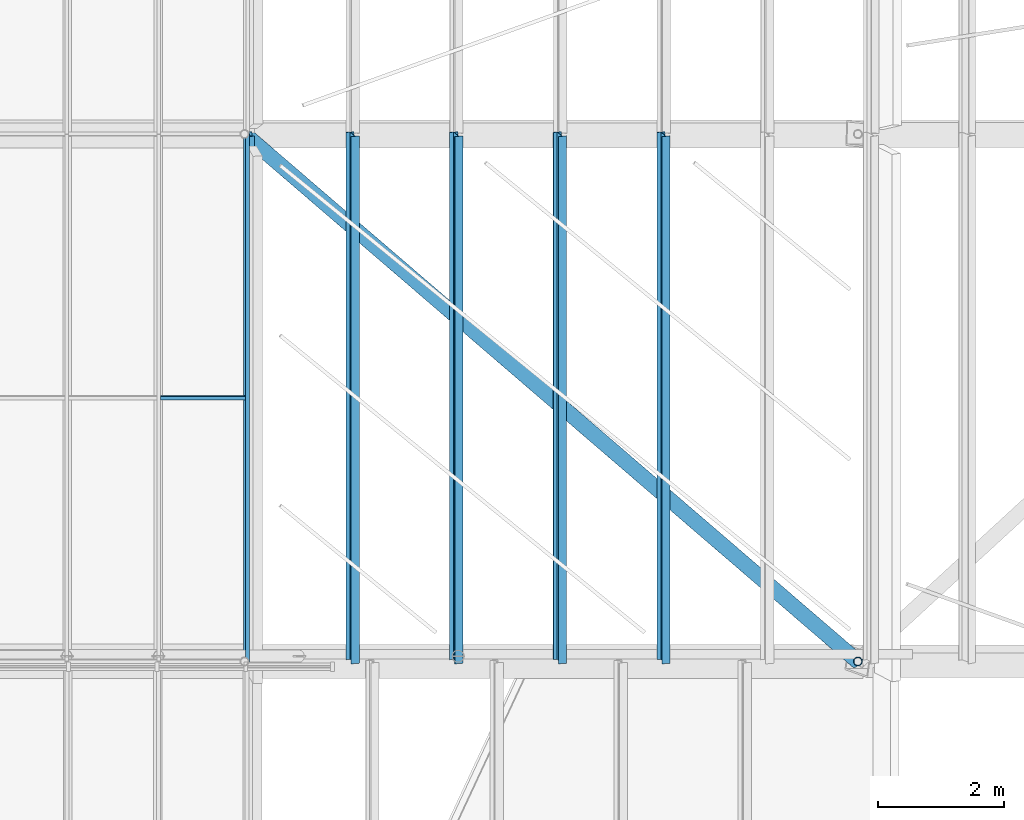
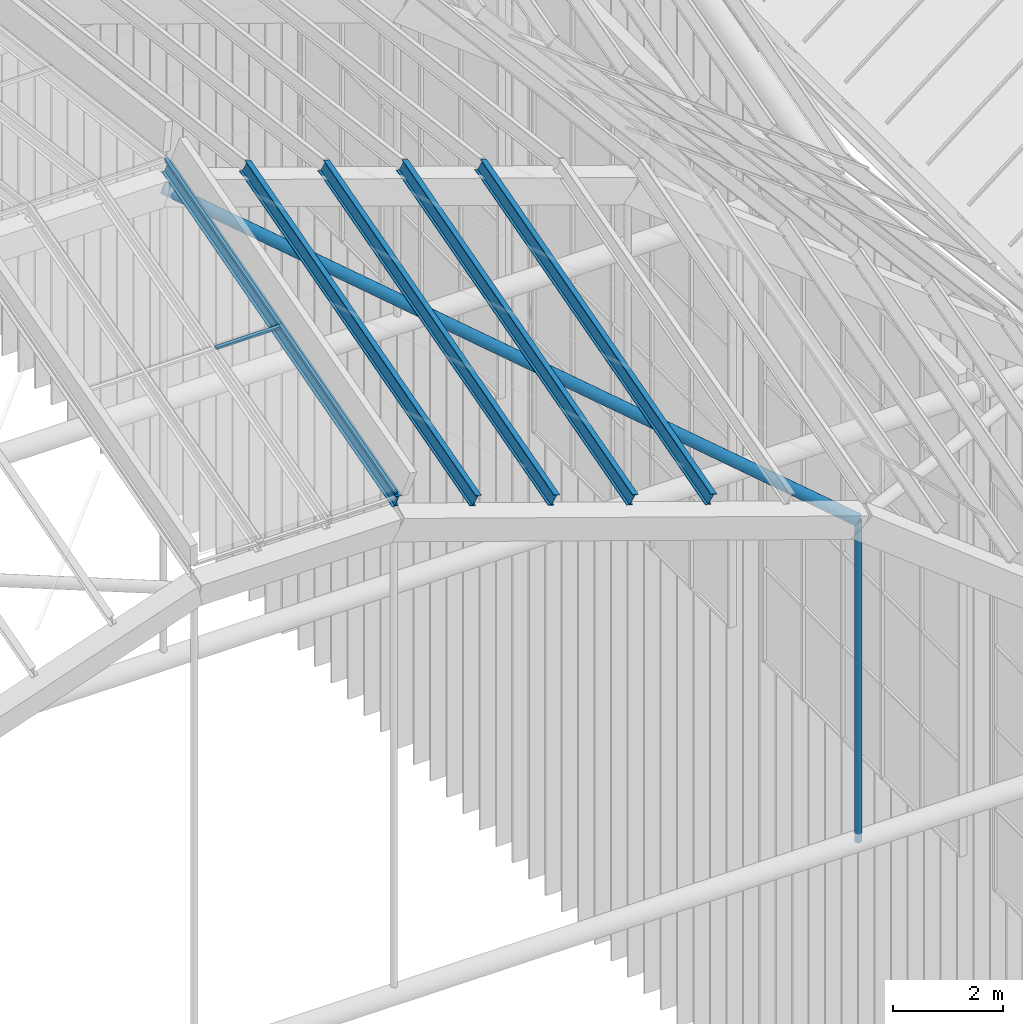
# One storey, part 32 of 126: 9 members.
"""IFC4 building model written with IfcOpenShell, lengths in metres."""

from ifc_helpers import new_model, si_unit, direction, frame, origin, origin_2d, place, context, subcontext, project, spatial, rectangle, hollow_circle, i_section, extrude, material, material_profile, profile_set, type_object, element, save


model = new_model("IFC4")

# Units and contexts
model_context = context("Model", 3, precision=1e-05, world=origin(), true_north=direction((0.0, 1.0)))
body_context = subcontext(model_context, "Body", "Model", "MODEL_VIEW")
ifc_project = project(units=[si_unit("LENGTHUNIT", "METRE"), si_unit("AREAUNIT", "SQUARE_METRE"), si_unit("VOLUMEUNIT", "CUBIC_METRE"), si_unit("PLANEANGLEUNIT", "RADIAN"), si_unit("MASSUNIT", "GRAM", prefix="KILO")], contexts=[model_context])

# Site, building, storey
site_placement = place(None, origin())
site = spatial("IfcSite", under=ifc_project, at=site_placement, CompositionType="ELEMENT")
building_placement = place(site_placement, origin())
building = spatial("IfcBuilding", under=site, at=building_placement, Name="Sava Quay Ferry Terminal", CompositionType="ELEMENT")
storey_placement = place(building_placement, frame((0.0, 0.0, 15.0)))
storey = spatial("IfcBuildingStorey", under=building, at=storey_placement, Name="L03", CompositionType="ELEMENT", Elevation=15.0)

# Members
ifc_material_1 = material(Name="Aluminium EN AW-6063 T6", Category="aluminium")
ifc_material_profile_1 = material_profile(ifc_material_1, rectangle(XDim=0.06005859375, YDim=0.06005859375, at=origin_2d()), Name="Bar 60 x 60")
ifc_profile_set_1 = profile_set([ifc_material_profile_1], Name="Aluminium EN AW-6063 T6")
member_type_1 = type_object("IfcMemberType", Name="Glazing bar 60x60", PredefinedType="USERDEFINED", material=ifc_profile_set_1)
member_1_placement = place(storey_placement, frame((65.14697265625, 50.39990234375, 19.5205078125), z_axis=(0.0, 0.962818275279, 0.270149900588), x_axis=(-1.0, 0.0, 0.0)))
element("IfcMember", 1, at=member_1_placement, inside=storey, type_object=member_type_1, Name="Departure hall glazing bar D-B0-GL2.3", ObjectType="GLAZING BAR", PredefinedType="USERDEFINED", context=body_context, shape_type="SweptSolid", body=[
    extrude(rectangle(XDim=0.06005859375, YDim=0.06005859375, at=origin_2d()), origin(), (0.0, 0.0, 1.0), 8.724609375),
])
member_2_placement = place(storey_placement, frame((63.76220703125, 54.60009765625, 20.698974609375), z_axis=(1.0, 0.0, 0.0), x_axis=(0.0, 0.962815070048, 0.270161323822)))
element("IfcMember", 2, at=member_2_placement, inside=storey, type_object=member_type_1, Name="Departure hall glazing bar D-B0M-GT2.2", ObjectType="GLAZING BAR", PredefinedType="USERDEFINED", context=body_context, shape_type="SweptSolid", body=[
    extrude(rectangle(XDim=0.06005859375, YDim=0.06005859375, at=origin_2d()), origin(), (0.0, 0.0, 1.0), 1.354736328125),
])
ifc_material_2 = material(Name="Steel S355", Category="steel")
ifc_material_profile_2 = material_profile(ifc_material_2, hollow_circle(Radius=0.122314453125, WallThickness=0.008056640625, at=origin_2d()), Name="CHS 244.5 x 8.0")
ifc_profile_set_2 = profile_set([ifc_material_profile_2], Name="Steel S355")
member_type_2 = type_object("IfcMemberType", Name="Roof brace CHS 244.5x8", PredefinedType="BRACE", material=ifc_profile_set_2)
member_3_placement = place(storey_placement, frame((74.8701171875, 50.39990234375, 15.533203125), z_axis=(-0.693022520599, 0.595852513025, 0.405807304843), x_axis=(-0.651946898046, -0.758264625397, 0.0)))
element("IfcMember", 3, at=member_3_placement, inside=storey, type_object=member_type_2, Name="Departure hall roof brace bay 1 panel 4", PredefinedType="BRACE", context=body_context, shape_type="SweptSolid", body=[
    extrude(hollow_circle(Radius=0.122314453125, WallThickness=0.008056640625, at=origin_2d()), origin(), (0.0, 0.0, 1.0), 14.09765625),
])
ifc_material_3 = material(Name="Steel S355", Category="steel")
ifc_material_profile_3 = material_profile(ifc_material_3, i_section(OverallWidth=0.135009765625, OverallDepth=0.27001953125, WebThickness=0.006591796875, FlangeThickness=0.01025390625, at=origin_2d()), Name="IPE 270")
ifc_profile_set_3 = profile_set([ifc_material_profile_3], Name="Steel S355")
member_type_3 = type_object("IfcMemberType", Name="Roof purlin IPE 270", PredefinedType="PURLIN", material=ifc_profile_set_3)
for number, where, z_axis, x_axis, name in (
    (4, (65.170166015625, 50.39990234375, 19.34912109375), (0.0, 0.962818275279, 0.270149900588), (-0.987217634461, -0.043055946895, 0.15345203696), "Departure hall purlin bay 1 V3"),
    (5, (66.821044921875, 50.39990234375, 18.780517578125), (0.0, 0.962810996405, 0.270175841262), (-0.949197315574, -0.085019343141, 0.30297882335), "Departure hall purlin bay 1 M3.1"),
    (6, (68.4716796875, 50.39990234375, 18.212158203125), (0.0, 0.962810996405, 0.270175841262), (-0.949197315574, -0.085019343141, 0.30297882335), "Departure hall purlin bay 1 M3.2"),
    (7, (70.122314453125, 50.39990234375, 17.643798828125), (0.0, 0.962810996405, 0.270175841262), (-0.949197315574, -0.085019343141, 0.30297882335), "Departure hall purlin bay 1 M3.3"),
    (8, (71.773193359375, 50.39990234375, 17.075439453125), (0.0, 0.962818275279, 0.270149900588), (-0.949197315574, -0.08501118009, 0.302981113877), "Departure hall purlin bay 1 M3.4"),
):
    element("IfcMember", number, at=place(storey_placement, frame(where, z_axis=z_axis, x_axis=x_axis)), inside=storey, type_object=member_type_3, Name=name, PredefinedType="PURLIN", context=body_context, shape_type="SweptSolid", body=[
        extrude(i_section(OverallWidth=0.135009765625, OverallDepth=0.27001953125, WebThickness=0.006591796875, FlangeThickness=0.01025390625, at=origin_2d()), origin(), (0.0, 0.0, 1.0), 8.724609375),
    ])
ifc_material_4 = material(Name="Steel S355", Category="steel")
ifc_material_profile_4 = material_profile(ifc_material_4, hollow_circle(Radius=0.06982421875, WallThickness=0.008056640625, at=origin_2d()), Name="CHS 139.7 x 8.0")
ifc_profile_set_4 = profile_set([ifc_material_profile_4], Name="Steel S355")
member_type_4 = type_object("IfcMemberType", Name="Tie hanger CHS 139.7x8", PredefinedType="USERDEFINED", material=ifc_profile_set_4)
member_4_placement = place(storey_placement, frame((74.8701171875, 50.39990234375, 8.39990234375), z_axis=(0.0, 0.0, 1.0), x_axis=(1.0, 0.0, 0.0)))
element("IfcMember", 9, at=member_4_placement, inside=storey, type_object=member_type_4, Name="Departure hall tie hanger R0 V4", ObjectType="TIE HANGER", PredefinedType="USERDEFINED", context=body_context, shape_type="SweptSolid", body=[
    extrude(hollow_circle(Radius=0.06982421875, WallThickness=0.008056640625, at=origin_2d()), origin(), (0.0, 0.0, 1.0), 7.13330078125),
])

save(model, "model.ifc")
